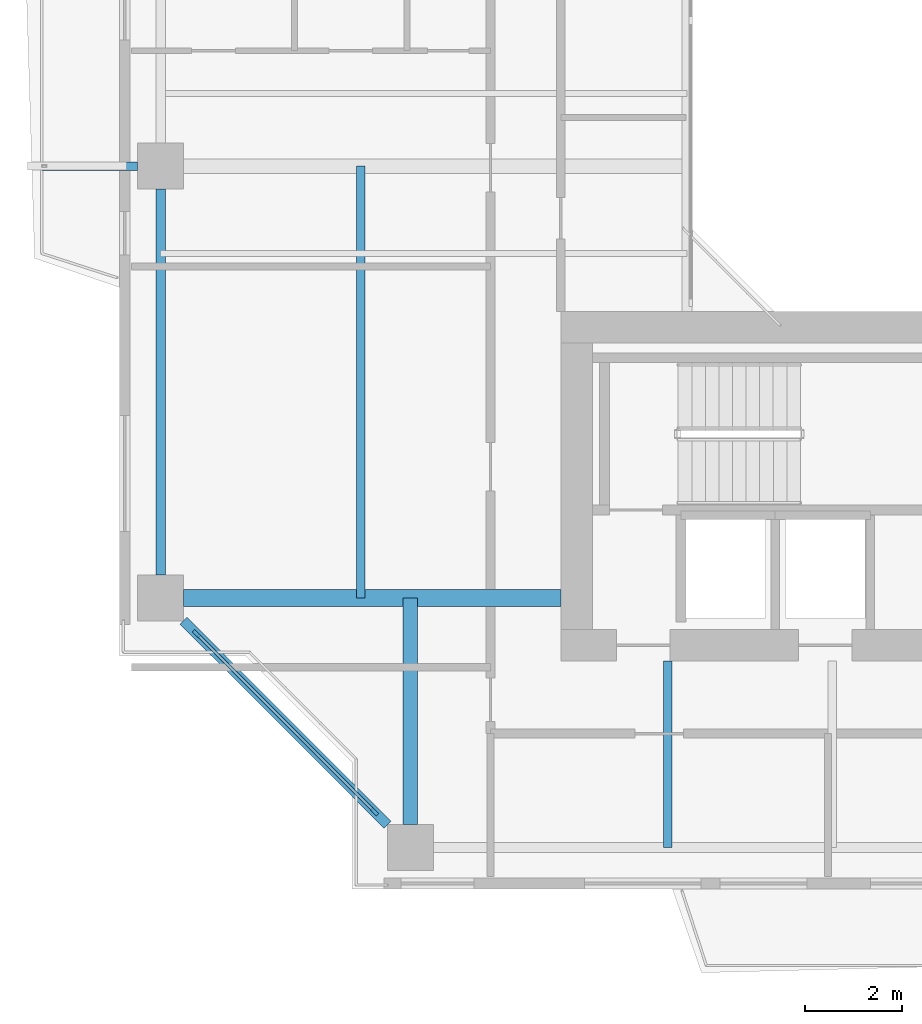
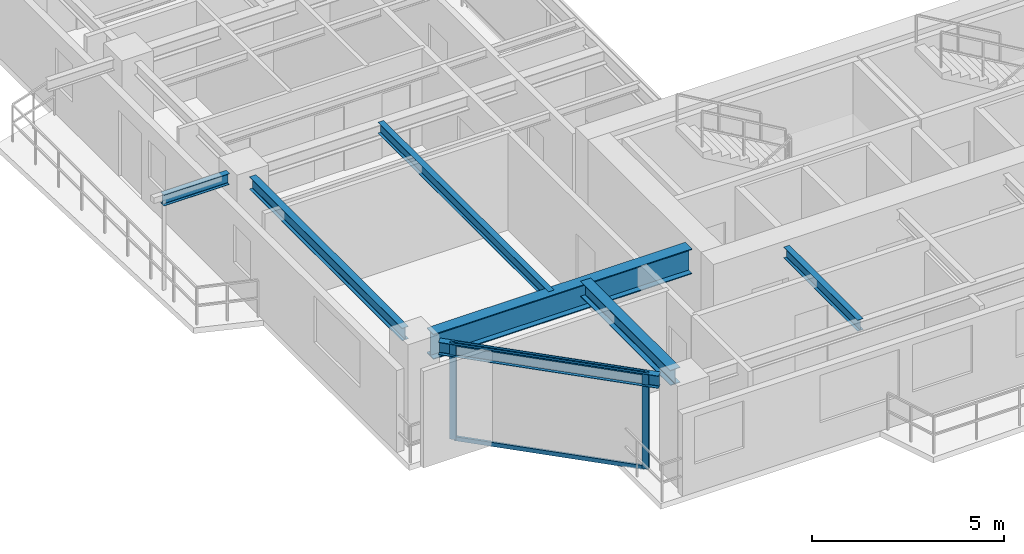
# One storey, part 2 of 18: 7 beams, 4 members, 1 element without a shape of its own.
"""IFC4 building model written with IfcOpenShell, lengths in metres."""

import ifcopenshell
import ifcopenshell.guid

model = None  # the IFC model being written
_history = None  # IfcOwnerHistory: only IFC2X3 demands one
_inside = {}  # id of a spatial element -> (the spatial element, [elements in it])
_under = {}  # id of a project, library or spatial element -> (it, [spatial elements below it])
_declared = {}  # id of a project -> (the project, [libraries it declares])
_typed = {}  # id of a type object -> (the type object, [elements of that type])
_made_of = {}  # id of a material, layer set ... -> (it, [elements and type objects made of it])


def new_model(schema):
    """Start an empty IFC model of exactly this schema.

    Asked for "IFC4X3", IfcOpenShell would pick the latest addendum, in which some entities
    have other attributes; the version numbers below select the first issue.
    IFC2X3 requires an IfcOwnerHistory on every rooted entity: one is made here for all.
    """
    global model, _history
    if schema == "IFC4X3":
        model = ifcopenshell.file(schema_version=(4, 3, 0, 0))
    else:
        model = ifcopenshell.file(schema=schema)
    _inside.clear()
    _under.clear()
    _declared.clear()
    _typed.clear()
    _made_of.clear()
    _history = None
    if model.schema == "IFC2X3":
        org = make("IfcOrganization", Name="unknown")
        user = make(
            "IfcPersonAndOrganization",
            ThePerson=make("IfcPerson", FamilyName="unknown"),
            TheOrganization=org,
        )
        app = make(
            "IfcApplication",
            ApplicationDeveloper=org,
            Version="unknown",
            ApplicationFullName="unknown",
            ApplicationIdentifier="unknown",
        )
        _history = make(
            "IfcOwnerHistory",
            OwningUser=user,
            OwningApplication=app,
            ChangeAction="ADDED",
            CreationDate=0,
        )
    return model


def make(cls, **values):
    """One entity of the class cls with the attributes given. An attribute that is None is left unset."""
    return model.create_entity(
        cls, **{name: value for name, value in values.items() if value is not None}
    )


def rooted(cls, **values):
    """An entity with a GlobalId (a new one), such as an element, a storey or a relation."""
    return make(cls, GlobalId=ifcopenshell.guid.new(), OwnerHistory=_history, **values)


def si_unit(unit_type, name, prefix=None):
    """IfcSIUnit, for example si_unit("LENGTHUNIT", "METRE", prefix="MILLI")."""
    return make("IfcSIUnit", UnitType=unit_type, Prefix=prefix, Name=name)


def assignment(units):
    """IfcUnitAssignment: the units of a project."""
    return None if units is None else make("IfcUnitAssignment", Units=units)


def point(xyz):
    """IfcCartesianPoint."""
    return None if xyz is None else make("IfcCartesianPoint", Coordinates=xyz)


def direction(xyz):
    """IfcDirection."""
    return None if xyz is None else make("IfcDirection", DirectionRatios=xyz)


def frame(location, z_axis=None, x_axis=None):
    """IfcAxis2Placement3D, a coordinate frame: its origin and axes. An axis left out is left unset."""
    return make(
        "IfcAxis2Placement3D",
        Location=point(location),
        Axis=direction(z_axis),
        RefDirection=direction(x_axis),
    )


def frame_2d(location, x_axis=None):
    """IfcAxis2Placement2D, a coordinate frame in the plane: its origin and x axis."""
    return make(
        "IfcAxis2Placement2D", Location=point(location), RefDirection=direction(x_axis)
    )


def origin():
    """The frame at (0, 0, 0) with its axes left unset."""
    return frame((0.0, 0.0, 0.0))


def origin_2d():
    """The frame at (0, 0) in the plane with its x axis left unset."""
    return frame_2d((0.0, 0.0))


def place(relative_to, where):
    """IfcLocalPlacement: puts the frame where relative to a parent placement (None: the world)."""
    return make(
        "IfcLocalPlacement", PlacementRelTo=relative_to, RelativePlacement=where
    )


def context(
    kind, dimensions, precision=None, world=None, true_north=None, identifier=None
):
    """IfcGeometricRepresentationContext, for example the 3D "Model" context."""
    return make(
        "IfcGeometricRepresentationContext",
        ContextIdentifier=identifier,
        ContextType=kind,
        CoordinateSpaceDimension=dimensions,
        Precision=precision,
        WorldCoordinateSystem=world,
        TrueNorth=true_north,
    )


def subcontext(parent, identifier, kind, view, scale=None):
    """IfcGeometricRepresentationSubContext, for example "Body" below "Model"."""
    return make(
        "IfcGeometricRepresentationSubContext",
        ContextIdentifier=identifier,
        ContextType=kind,
        ParentContext=parent,
        TargetScale=scale,
        TargetView=view,
    )


def project(units=None, contexts=None):
    """IfcProject with its units and contexts."""
    return rooted(
        "IfcProject",
        Name="project",
        RepresentationContexts=contexts,
        UnitsInContext=assignment(units),
    )


def spatial(cls, under=None, at=None, **own):
    """A site, building, storey or space (cls), placed at a placement, below another one or the project."""
    s = rooted(cls, ObjectPlacement=at, **own)
    if under is not None:
        _under.setdefault(under.id(), (under, []))[1].append(s)
    return s


def profile(cls, at=None, kind="AREA", **sizes):
    """A parametric profile (cls). Its sizes go by their IFC names, for example OverallWidth=200.0."""
    return make(cls, ProfileType=kind, Position=at, **sizes)


def rectangle(**sizes):
    """IfcRectangleProfileDef."""
    return profile("IfcRectangleProfileDef", **sizes)


def i_section(**sizes):
    """IfcIShapeProfileDef."""
    return profile("IfcIShapeProfileDef", **sizes)


def extrude(swept, where, along, depth):
    """IfcExtrudedAreaSolid: the profile swept, set in the frame where, extruded along a direction by depth."""
    return make(
        "IfcExtrudedAreaSolid",
        SweptArea=swept,
        Position=where,
        ExtrudedDirection=direction(along),
        Depth=depth,
    )


def shape(context_of_items, identifier, shape_type, items):
    """IfcShapeRepresentation: the items that make up one representation, for example the "Body"."""
    return make(
        "IfcShapeRepresentation",
        ContextOfItems=context_of_items,
        RepresentationIdentifier=identifier,
        RepresentationType=shape_type,
        Items=items,
    )


def source(mapping_origin, context_of_items, identifier, shape_type, items):
    """IfcRepresentationMap: a shape defined once, which mapped items show again and again."""
    return make(
        "IfcRepresentationMap",
        MappingOrigin=mapping_origin,
        MappedRepresentation=shape(context_of_items, identifier, shape_type, items),
    )


def transform(
    local_origin,
    x_axis=None,
    y_axis=None,
    z_axis=None,
    scale=None,
    scale2=None,
    scale3=None,
    uniform=True,
):
    """IfcCartesianTransformationOperator3D, or its non-uniform kind. x_axis, y_axis, z_axis: its Axis1, 2, 3."""
    if uniform:
        return make(
            "IfcCartesianTransformationOperator3D",
            Axis1=direction(x_axis),
            Axis2=direction(y_axis),
            LocalOrigin=point(local_origin),
            Scale=scale,
            Axis3=direction(z_axis),
        )
    return make(
        "IfcCartesianTransformationOperator3DnonUniform",
        Axis1=direction(x_axis),
        Axis2=direction(y_axis),
        LocalOrigin=point(local_origin),
        Scale=scale,
        Axis3=direction(z_axis),
        Scale2=scale2,
        Scale3=scale3,
    )


def mapped(mapping_source, mapping_target):
    """IfcMappedItem: shows the shape of a source again, moved by a transform."""
    return make(
        "IfcMappedItem", MappingSource=mapping_source, MappingTarget=mapping_target
    )


def material(Name=None, Category=None):
    """IfcMaterial."""
    return make("IfcMaterial", Name=Name, Category=Category)


def layer(
    of_material, thickness, ventilated=None, Name=None, Category=None, Priority=None
):
    """IfcMaterialLayer: one layer of a wall or slab, of a material (None: an air gap)."""
    return make(
        "IfcMaterialLayer",
        Material=of_material,
        LayerThickness=thickness,
        IsVentilated=ventilated,
        Name=Name,
        Category=Category,
        Priority=Priority,
    )


def layer_set(layers, Name=None):
    """IfcMaterialLayerSet."""
    return make("IfcMaterialLayerSet", MaterialLayers=layers, LayerSetName=Name)


def material_profile(
    of_material, cross_section, Name=None, Category=None, Priority=None
):
    """IfcMaterialProfile: a cross section and its material."""
    return make(
        "IfcMaterialProfile",
        Name=Name,
        Material=of_material,
        Profile=cross_section,
        Priority=Priority,
        Category=Category,
    )


def profile_set(profiles, Name=None, composite=None):
    """IfcMaterialProfileSet."""
    return make(
        "IfcMaterialProfileSet",
        Name=Name,
        MaterialProfiles=profiles,
        CompositeProfile=composite,
    )


def made_of(thing, what):
    """Note that an element or type object is made of a material, layer set ...; save() writes the relation."""
    if what is not None:
        _made_of.setdefault(what.id(), (what, []))[1].append(thing)
    return thing


def type_object(cls, material=None, **own):
    """A type object (cls), such as IfcWallType, which elements share."""
    return made_of(rooted(cls, **own), material)


def element(
    cls,
    number,
    at=None,
    inside=None,
    cuts=None,
    type_object=None,
    material=None,
    context=None,
    identifier="Body",
    shape_type=None,
    held_by="IfcProductDefinitionShape",
    body=None,
    shapes=None,
    **own,
):
    """One element of the class cls, such as IfcWall. Its Tag is "e" and its number.

    at: its placement. inside: the storey or other place that contains it. cuts: it is an
    opening in that element (IfcRelVoidsElement). A single representation is given by context,
    identifier, shape_type and body (its items); several are given by shapes. held_by: the class
    of the entity that holds the representations. save() writes the other relations.
    """
    e = rooted(cls, Tag="e%d" % number, ObjectPlacement=at, **own)
    if body is not None:
        shapes = [shape(context, identifier, shape_type, body)]
    if shapes is not None:
        e.Representation = make(held_by, Representations=shapes)
    if inside is not None:
        _inside.setdefault(inside.id(), (inside, []))[1].append(e)
    if cuts is not None:
        rooted(
            "IfcRelVoidsElement", RelatingBuildingElement=cuts, RelatedOpeningElement=e
        )
    if type_object is not None:
        _typed.setdefault(type_object.id(), (type_object, []))[1].append(e)
    return made_of(e, material)


def aggregate(whole, parts):
    """IfcRelAggregates: a whole, such as a stair, and the parts it consists of."""
    return rooted("IfcRelAggregates", RelatingObject=whole, RelatedObjects=parts)


def save(model, path):
    """Write the relations noted so far, then the file.

    IfcRelAggregates (storeys below a building ...), IfcRelContainedInSpatialStructure (elements
    in a storey), IfcRelDefinesByType, IfcRelAssociatesMaterial and IfcRelDeclares: one each for
    every whole, place, type object, material and project.
    """
    for whole, parts in _under.values():
        aggregate(whole, parts)
    for where, things in _inside.values():
        rooted(
            "IfcRelContainedInSpatialStructure",
            RelatedElements=things,
            RelatingStructure=where,
        )
    for kind, things in _typed.values():
        rooted("IfcRelDefinesByType", RelatedObjects=things, RelatingType=kind)
    for what, things in _made_of.values():
        rooted("IfcRelAssociatesMaterial", RelatedObjects=things, RelatingMaterial=what)
    for by, libraries in _declared.values():
        rooted("IfcRelDeclares", RelatingContext=by, RelatedDefinitions=libraries)
    model.write(path)


model = new_model("IFC4")

# Units and contexts
model_context = context("Model", 3, precision=1e-05, world=origin(), true_north=direction((0.0, 1.0)))
body_context = subcontext(model_context, "Body", "Model", "MODEL_VIEW")
ifc_project = project(units=[si_unit("LENGTHUNIT", "METRE"), si_unit("AREAUNIT", "SQUARE_METRE"), si_unit("VOLUMEUNIT", "CUBIC_METRE"), si_unit("PLANEANGLEUNIT", "RADIAN"), si_unit("MASSUNIT", "GRAM", prefix="KILO"), si_unit("THERMODYNAMICTEMPERATUREUNIT", "KELVIN"), si_unit("POWERUNIT", "WATT")], contexts=[model_context])

# Site, building, storey
site_placement = place(None, origin())
site = spatial("IfcSite", under=ifc_project, at=site_placement, CompositionType="ELEMENT")
building_placement = place(site_placement, origin())
building = spatial("IfcBuilding", under=site, at=building_placement, Name="Qiaomeng Ring Towers", CompositionType="ELEMENT")
storey_placement = place(building_placement, frame((0.0, 0.0, 147.0)))
storey = spatial("IfcBuildingStorey", under=building, at=storey_placement, Name="L42", CompositionType="ELEMENT", Elevation=147.0)

# Beams
ifc_material_1 = material(Name="Steel Q355B", Category="steel")
ifc_material_profile_1 = material_profile(ifc_material_1, i_section(OverallWidth=0.175048828125, OverallDepth=0.35009765625, WebThickness=0.007080078125, FlangeThickness=0.010986328125, FilletRadius=0.013916015625, at=origin_2d()), Name="HN 350x175x7x11")
ifc_profile_set_1 = profile_set([ifc_material_profile_1], Name="Steel Q355B")
beam_type_1 = type_object("IfcBeamType", Name="STR-BM-HN350", PredefinedType="JOIST", material=ifc_profile_set_1)
shared_shape_1 = source(origin(), body_context, "Body", "SweptSolid", [
    extrude(i_section(OverallWidth=0.175048828125, OverallDepth=0.35009765625, WebThickness=0.007080078125, FlangeThickness=0.010986328125, FilletRadius=0.013916015625, at=origin_2d()), origin(), (0.0, 0.0, 1.0), 3.85009765625),
])
beam_1_placement = place(storey_placement, frame((12.39990234375, 5.949951171875, 2.89501953125), z_axis=(0.0, 1.0, 0.0), x_axis=(-1.0, 0.0, 0.0)))
element("IfcBeam", 1, at=beam_1_placement, inside=storey, type_object=beam_type_1, Name="L42 beam STR-JST-L42-T1S-1", PredefinedType="JOIST", context=body_context, shape_type="MappedRepresentation", body=[
    mapped(shared_shape_1, transform((0.0, 0.0, 0.0), x_axis=(1.0, 0.0, 0.0), y_axis=(0.0, 1.0, 0.0), z_axis=(0.0, 0.0, 1.0), scale=1.0)),
])
shared_shape_2 = source(origin(), body_context, "Body", "SweptSolid", [
    extrude(i_section(OverallWidth=0.175048828125, OverallDepth=0.35009765625, WebThickness=0.007080078125, FlangeThickness=0.010986328125, FilletRadius=0.013916015625, at=origin_2d()), origin(), (0.0, 0.0, 1.0), 8.89990234375),
])
beam_2_placement = place(storey_placement, frame((6.074951171875, 11.10009765625, 2.89501953125), z_axis=(0.0, 1.0, 0.0), x_axis=(-1.0, 0.0, 0.0)))
element("IfcBeam", 2, at=beam_2_placement, inside=storey, type_object=beam_type_1, Name="L42 beam STR-JST-L42-T1C-WS", PredefinedType="JOIST", context=body_context, shape_type="MappedRepresentation", body=[
    mapped(shared_shape_2, transform((0.0, 0.0, 0.0), x_axis=(1.0, 0.0, 0.0), y_axis=(0.0, 1.0, 0.0), z_axis=(0.0, 0.0, 1.0), scale=1.0)),
])
ifc_material_profile_2 = material_profile(ifc_material_1, i_section(OverallWidth=0.199951171875, OverallDepth=0.39990234375, WebThickness=0.008056640625, FlangeThickness=0.012939453125, FilletRadius=0.01611328125, at=origin_2d()), Name="HN 400x200x8x13")
ifc_profile_set_2 = profile_set([ifc_material_profile_2], Name="Steel Q355B")
beam_type_2 = type_object("IfcBeamType", Name="STR-BM-HN400", PredefinedType="SPANDREL", material=ifc_profile_set_2)
shared_shape_3 = source(origin(), body_context, "Body", "SweptSolid", [
    extrude(i_section(OverallWidth=0.199951171875, OverallDepth=0.39990234375, WebThickness=0.008056640625, FlangeThickness=0.012939453125, FilletRadius=0.01611328125, at=origin_2d()), origin(), (0.0, 0.0, 1.0), 5.941650390625),
])
beam_3_placement = place(storey_placement, frame((2.42431640625, 10.625732421875, 2.8701171875), z_axis=(0.707106781187, -0.707106781187, 0.0), x_axis=(0.707106781187, 0.707106781187, 0.0)))
element("IfcBeam", 3, at=beam_3_placement, inside=storey, type_object=beam_type_2, Name="L42 beam STR-SP-L42-T1-W1-S1", PredefinedType="SPANDREL", context=body_context, shape_type="MappedRepresentation", body=[
    mapped(shared_shape_3, transform((0.0, 0.0, 0.0), x_axis=(1.0, 0.0, 0.0), y_axis=(0.0, 1.0, 0.0), z_axis=(0.0, 0.0, 1.0), scale=1.0)),
])
shared_shape_4 = source(origin(), body_context, "Body", "SweptSolid", [
    extrude(i_section(OverallWidth=0.199951171875, OverallDepth=0.39990234375, WebThickness=0.008056640625, FlangeThickness=0.012939453125, FilletRadius=0.01611328125, at=origin_2d()), origin(), (0.0, 0.0, 1.0), 7.951904296875),
])
beam_4_placement = place(storey_placement, frame((1.949951171875, 19.52587890625, 2.8701171875), z_axis=(0.0, -1.0, 0.0), x_axis=(1.0, 0.0, 0.0)))
element("IfcBeam", 4, at=beam_4_placement, inside=storey, type_object=beam_type_2, Name="L42 beam STR-SP-L42-T1-W2-W1", PredefinedType="SPANDREL", context=body_context, shape_type="MappedRepresentation", body=[
    mapped(shared_shape_4, transform((0.0, 0.0, 0.0), x_axis=(1.0, 0.0, 0.0), y_axis=(0.0, 1.0, 0.0), z_axis=(0.0, 0.0, 1.0), scale=1.0)),
])
ifc_material_2 = material(Name="Steel Q390GJC", Category="steel")
ifc_material_profile_3 = material_profile(ifc_material_2, i_section(OverallWidth=0.35009765625, OverallDepth=0.800048828125, WebThickness=0.01611328125, FlangeThickness=0.028076171875, at=origin_2d()), Name="WH 800x350x16x28")
ifc_profile_set_3 = profile_set([ifc_material_profile_3], Name="Steel Q390GJC")
beam_type_3 = type_object("IfcBeamType", Name="STR-BM-WH800", PredefinedType="BEAM", material=ifc_profile_set_3)
shared_shape_5 = source(origin(), body_context, "Body", "SweptSolid", [
    extrude(i_section(OverallWidth=0.35009765625, OverallDepth=0.800048828125, WebThickness=0.01611328125, FlangeThickness=0.028076171875, at=origin_2d()), origin(), (0.0, 0.0, 1.0), 7.77587890625),
])
beam_5_placement = place(storey_placement, frame((2.424072265625, 11.10009765625, 2.669921875), z_axis=(1.0, 0.0, 0.0), x_axis=(0.0, 1.0, 0.0)))
element("IfcBeam", 5, at=beam_5_placement, inside=storey, type_object=beam_type_3, Name="L42 beam STR-BM-L42-T1-RAD-W1", PredefinedType="BEAM", context=body_context, shape_type="MappedRepresentation", body=[
    mapped(shared_shape_5, transform((0.0, 0.0, 0.0), x_axis=(1.0, 0.0, 0.0), y_axis=(0.0, 1.0, 0.0), z_axis=(0.0, 0.0, 1.0), scale=1.0)),
])
ifc_material_profile_4 = material_profile(ifc_material_1, i_section(OverallWidth=0.300048828125, OverallDepth=0.488037109375, WebThickness=0.010986328125, FlangeThickness=0.01806640625, FilletRadius=0.02587890625, at=origin_2d()), Name="HM 488x300x11x18")
ifc_profile_set_4 = profile_set([ifc_material_profile_4], Name="Steel Q355B")
beam_type_4 = type_object("IfcBeamType", Name="STR-BM-HM488", PredefinedType="BEAM", material=ifc_profile_set_4)
shared_shape_6 = source(origin(), body_context, "Body", "SweptSolid", [
    extrude(i_section(OverallWidth=0.300048828125, OverallDepth=0.488037109375, WebThickness=0.010986328125, FlangeThickness=0.01806640625, FilletRadius=0.02587890625, at=origin_2d()), origin(), (0.0, 0.0, 1.0), 4.676025390625),
])
beam_6_placement = place(storey_placement, frame((7.10009765625, 6.424072265625, 2.825927734375), z_axis=(0.0, 1.0, 0.0), x_axis=(-1.0, 0.0, 0.0)))
element("IfcBeam", 6, at=beam_6_placement, inside=storey, type_object=beam_type_4, Name="L42 beam STR-BM-L42-T1-RAD-S1", PredefinedType="BEAM", context=body_context, shape_type="MappedRepresentation", body=[
    mapped(shared_shape_6, transform((0.0, 0.0, 0.0), x_axis=(1.0, 0.0, 0.0), y_axis=(0.0, 1.0, 0.0), z_axis=(0.0, 0.0, 1.0), scale=1.0)),
])
shared_shape_7 = source(origin(), body_context, "Body", "SweptSolid", [
    extrude(i_section(OverallWidth=0.175048828125, OverallDepth=0.35009765625, WebThickness=0.007080078125, FlangeThickness=0.010986328125, FilletRadius=0.013916015625, at=origin_2d()), origin(), (0.0, 0.0, 1.0), 1.97607421875),
])
beam_7_placement = place(storey_placement, frame((-0.5, 20.0, 2.89501953125), z_axis=(1.0, 0.0, 0.0), x_axis=(0.0, 1.0, 0.0)))
element("IfcBeam", 7, at=beam_7_placement, inside=storey, type_object=beam_type_1, Name="L42 beam STR-BALBM-L42-W2", PredefinedType="JOIST", context=body_context, shape_type="MappedRepresentation", body=[
    mapped(shared_shape_7, transform((0.0, 0.0, 0.0), x_axis=(1.0, 0.0, 0.0), y_axis=(0.0, 1.0, 0.0), z_axis=(0.0, 0.0, 1.0), scale=1.0)),
])

# Curtain wall, members
ifc_material_3 = material(Name="Fluorocarbon dark-grey aluminium", Category="aluminium")
ifc_layer = layer(ifc_material_3, 0.14990234375, Name="Fluorocarbon dark-grey aluminium")
ifc_layer_set = layer_set([ifc_layer], Name="Fluorocarbon dark-grey aluminium")
curtain_wall_type = type_object("IfcCurtainWallType", Name="ARC-CW-3", PredefinedType="NOTDEFINED", material=ifc_layer_set)
curtain_wall_placement = place(storey_placement, origin())
curtain_wall = element("IfcCurtainWall", 8, at=curtain_wall_placement, inside=storey, type_object=curtain_wall_type, Name="L42 Curtain Wall CW3", PredefinedType="NOTDEFINED")
ifc_material_profile_5 = material_profile(ifc_material_3, rectangle(XDim=0.070068359375, YDim=0.179931640625, at=origin_2d()), Name="ALU MULL 70x180")
ifc_profile_set_5 = profile_set([ifc_material_profile_5], Name="Fluorocarbon dark-grey aluminium")
member_type_1 = type_object("IfcMemberType", Name="ARC-CWM-160", PredefinedType="MULLION", material=ifc_profile_set_5)
shared_shape_8 = source(origin(), body_context, "Body", "SweptSolid", [
    extrude(rectangle(XDim=0.070068359375, YDim=0.179931640625, at=origin_2d()), origin(), (0.0, 0.0, 1.0), 3.070068359375),
])
member_1_placement = place(storey_placement, frame((2.689697265625, 10.3603515625, 0.0), z_axis=(0.0, 0.0, 1.0), x_axis=(0.707106781187, 0.707106781187, 0.0)))
member_1 = element("IfcMember", 9, at=member_1_placement, type_object=member_type_1, Name="CW3 mullion 1", PredefinedType="MULLION", context=body_context, shape_type="MappedRepresentation", body=[
    mapped(shared_shape_8, transform((0.0, 0.0, 0.0), x_axis=(1.0, 0.0, 0.0), y_axis=(0.0, 1.0, 0.0), z_axis=(0.0, 0.0, 1.0), scale=1.0)),
])
member_2_placement = place(storey_placement, frame((6.3603515625, 6.689697265625, 0.0), z_axis=(0.0, 0.0, 1.0), x_axis=(0.707106781187, 0.707106781187, 0.0)))
member_2 = element("IfcMember", 10, at=member_2_placement, type_object=member_type_1, Name="CW3 mullion 2", PredefinedType="MULLION", context=body_context, shape_type="MappedRepresentation", body=[
    mapped(shared_shape_8, transform((0.0, 0.0, 0.0), x_axis=(1.0, 0.0, 0.0), y_axis=(0.0, 1.0, 0.0), z_axis=(0.0, 0.0, 1.0), scale=1.0)),
])
ifc_material_profile_6 = material_profile(ifc_material_3, rectangle(XDim=0.06494140625, YDim=0.1298828125, at=origin_2d()), Name="ALU TRAN 65x130")
ifc_profile_set_6 = profile_set([ifc_material_profile_6], Name="Fluorocarbon dark-grey aluminium")
member_type_2 = type_object("IfcMemberType", Name="ARC-CWT-120", PredefinedType="USERDEFINED", material=ifc_profile_set_6)
shared_shape_9 = source(origin(), body_context, "Body", "SweptSolid", [
    extrude(rectangle(XDim=0.06494140625, YDim=0.1298828125, at=origin_2d()), origin(), (0.0, 0.0, 1.0), 5.12060546875),
])
member_3_placement = place(storey_placement, frame((2.714599609375, 10.33544921875, 0.032470703125), z_axis=(0.707106781187, -0.707106781187, 0.0), x_axis=(0.707106781187, 0.707106781187, 0.0)))
member_3 = element("IfcMember", 11, at=member_3_placement, type_object=member_type_2, Name="CW3 transom 1.1", ObjectType="TRANSOM", PredefinedType="USERDEFINED", context=body_context, shape_type="MappedRepresentation", body=[
    mapped(shared_shape_9, transform((0.0, 0.0, 0.0), x_axis=(1.0, 0.0, 0.0), y_axis=(0.0, 1.0, 0.0), z_axis=(0.0, 0.0, 1.0), scale=1.0)),
])
member_4_placement = place(storey_placement, frame((2.714599609375, 10.33544921875, 3.03759765625), z_axis=(0.707106781187, -0.707106781187, 0.0), x_axis=(0.707106781187, 0.707106781187, 0.0)))
member_4 = element("IfcMember", 12, at=member_4_placement, type_object=member_type_2, Name="CW3 transom 1.2", ObjectType="TRANSOM", PredefinedType="USERDEFINED", context=body_context, shape_type="MappedRepresentation", body=[
    mapped(shared_shape_9, transform((0.0, 0.0, 0.0), x_axis=(1.0, 0.0, 0.0), y_axis=(0.0, 1.0, 0.0), z_axis=(0.0, 0.0, 1.0), scale=1.0)),
])
aggregate(curtain_wall, [member_1, member_2, member_3, member_4])

save(model, "model.ifc")
